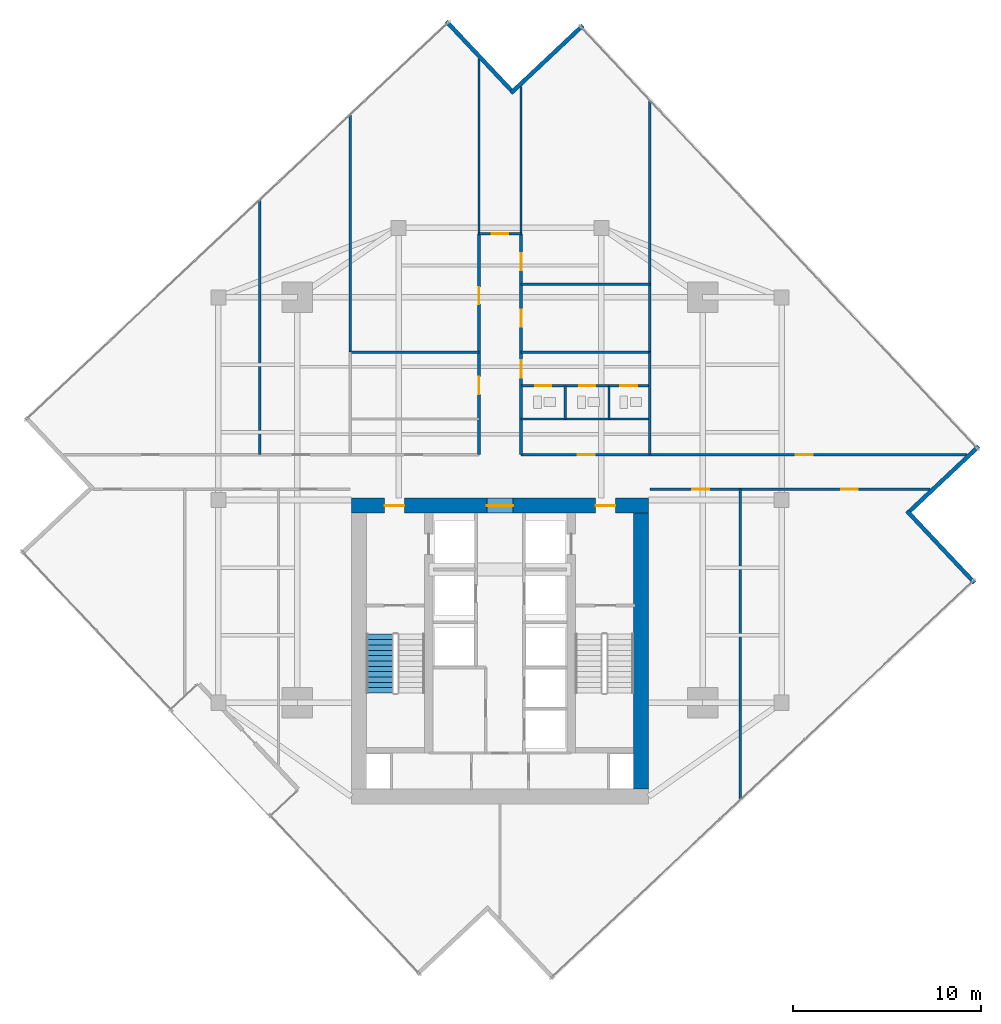
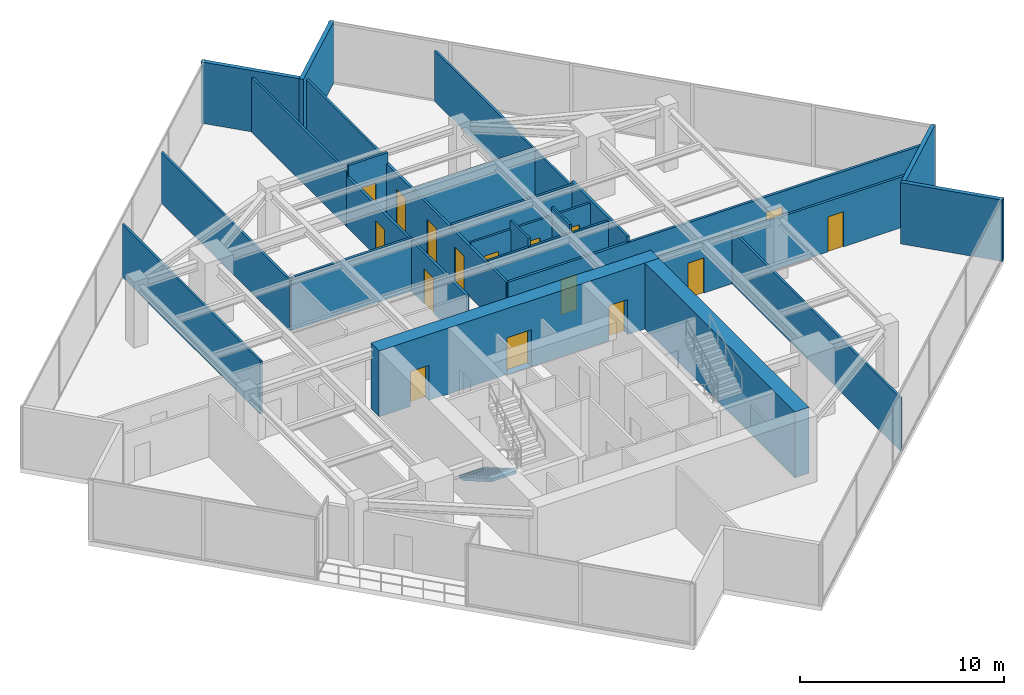
# One storey, part 22 of 25: 25 walls, 16 doors, 1 stair flight, 16 openings, 1 element without a shape of its own.
"""IFC4 building model written with IfcOpenShell, lengths in metres."""

from ifc_helpers import new_model, si_unit, direction, frame, frame_2d, origin, place, context, subcontext, project, spatial, polyline, rectangle, outline, extrude, material, layer, layer_set, type_object, element, fill, aggregate, save


model = new_model("IFC4")

# Units and contexts
model_context = context("Model", 3, precision=1e-05, world=origin(), true_north=direction((0.0, 1.0)))
body_context = subcontext(model_context, "Body", "Model", "MODEL_VIEW")
ifc_project = project(units=[si_unit("LENGTHUNIT", "METRE"), si_unit("AREAUNIT", "SQUARE_METRE"), si_unit("VOLUMEUNIT", "CUBIC_METRE"), si_unit("PLANEANGLEUNIT", "RADIAN"), si_unit("MASSUNIT", "GRAM", prefix="KILO")], contexts=[model_context])

# Site, building, storey
site_placement = place(None, origin())
site = spatial("IfcSite", under=ifc_project, at=site_placement, CompositionType="ELEMENT")
building_placement = place(site_placement, origin())
building = spatial("IfcBuilding", under=site, at=building_placement, Name="Krantzveldt Concourse Tower", CompositionType="ELEMENT")
storey_placement = place(building_placement, frame((0.0, 0.0, 238.89990234375)))
storey = spatial("IfcBuildingStorey", under=building, at=storey_placement, Name="L58", CompositionType="ELEMENT", Elevation=238.89990234375)

# Walls
ifc_material_1 = material(Name="Anodised aluminium 6063-T6", Category="aluminium")
ifc_layer_1 = layer(ifc_material_1, 0.219970703125, Name="Anodised aluminium 6063-T6", Category="aluminium")
ifc_layer_set_1 = layer_set([ifc_layer_1], Name="Anodised aluminium 6063-T6 (WL-EXT-NOTCH220)")
wall_type_1 = type_object("IfcWallType", Name="WL-EXT-NOTCH220", PredefinedType="ELEMENTEDWALL", material=ifc_layer_set_1)
wall_1_placement = place(storey_placement, frame((36.58935546875, 48.53466796875, 0.0), z_axis=(0.0, 0.0, 1.0), x_axis=(-0.685181305796, 0.728372554527, 0.0)))
element("IfcWall", 1, at=wall_1_placement, inside=storey, type_object=wall_type_1, Name="EW-L58-NCH00", PredefinedType="ELEMENTEDWALL", context=body_context, shape_type="SweptSolid", body=[
    extrude(rectangle(XDim=5.025146484375, YDim=0.219970703125, at=frame_2d((2.5126953125, 0.0))), origin(), (0.0, 0.0, 1.0), 3.670166015625),
])
wall_2_placement = place(storey_placement, frame((61.27294921875, 22.295166015625, 0.0), z_axis=(0.0, 0.0, 1.0), x_axis=(-0.685178828418, 0.728374884992, 0.0)))
element("IfcWall", 2, at=wall_2_placement, inside=storey, type_object=wall_type_1, Name="EW-L58-NCH12", PredefinedType="ELEMENTEDWALL", context=body_context, shape_type="SweptSolid", body=[
    extrude(rectangle(XDim=5.244873046875, YDim=0.219970703125, at=frame_2d((2.62255859375, 0.0))), origin(), (0.0, 0.0, 1.0), 3.670166015625),
])
wall_3_placement = place(storey_placement, frame((57.834716796875, 26.110595703125, 0.0), z_axis=(0.0, 0.0, 1.0), x_axis=(0.728372554527, 0.685181305796, 0.0)))
element("IfcWall", 3, at=wall_3_placement, inside=storey, type_object=wall_type_1, Name="EW-L58-NCH13", PredefinedType="ELEMENTEDWALL", context=body_context, shape_type="SweptSolid", body=[
    extrude(rectangle(XDim=5.025146484375, YDim=0.219970703125, at=frame_2d((2.5126953125, 0.0))), origin(), (0.0, 0.0, 1.0), 3.670166015625),
])
wall_4_placement = place(storey_placement, frame((40.40478515625, 51.972900390625, 0.0), z_axis=(0.0, 0.0, 1.0), x_axis=(-0.728374884992, -0.685178828418, 0.0)))
element("IfcWall", 4, at=wall_4_placement, inside=storey, type_object=wall_type_1, Name="EW-L58-NCH15", PredefinedType="ELEMENTEDWALL", context=body_context, shape_type="SweptSolid", body=[
    extrude(rectangle(XDim=5.244873046875, YDim=0.219970703125, at=frame_2d((2.62255859375, 0.0))), origin(), (0.0, 0.0, 1.0), 3.670166015625),
])
ifc_material_2 = material(Name="Fire-rated gypsum plasterboard on steel stud", Category="steel")
ifc_layer_2 = layer(ifc_material_2, 0.1201171875, Name="Fire-rated gypsum plasterboard on steel stud", Category="steel")
ifc_layer_set_2 = layer_set([ifc_layer_2], Name="Fire-rated gypsum plasterboard on steel stud (WL-PART-120)")
wall_type_2 = type_object("IfcWallType", Name="WL-PART-120", PredefinedType="PARTITIONING", material=ifc_layer_set_2)
wall_5_placement = place(storey_placement, frame((37.1201171875, 31.02001953125, 0.0), z_axis=(0.0, 0.0, 1.0), x_axis=(1.0, 0.0, 0.0)))
element("IfcWall", 5, at=wall_5_placement, inside=storey, type_object=wall_type_2, Name="WP-L58-ISMR", PredefinedType="PARTITIONING", context=body_context, shape_type="SweptSolid", body=[
    extrude(rectangle(XDim=6.85986328125, YDim=0.1201171875, at=frame_2d((3.429931640625, 0.0))), origin(), (0.0, 0.0, 1.0), 3.18017578125),
])

# Wall, openings, doors
wall_6_placement = place(storey_placement, frame((37.14990234375, 32.780029296875, 0.0), z_axis=(0.0, 0.0, 1.0), x_axis=(1.0, 0.0, 0.0)))
wall_6 = element("IfcWall", 6, at=wall_6_placement, inside=storey, type_object=wall_type_2, Name="WP-L58-WCHDR", PredefinedType="PARTITIONING", context=body_context, shape_type="SweptSolid", body=[
    extrude(rectangle(XDim=6.800048828125, YDim=0.1201171875, at=frame_2d((3.39990234375, 0.0))), origin(), (0.0, 0.0, 1.0), 3.18017578125),
])
opening_1_placement = place(wall_6_placement, frame((0.72509765625, 0.0, 0.0)))
opening_1 = element("IfcOpeningElement", 7, at=opening_1_placement, cuts=wall_6, Name="Opening D-IN085", PredefinedType="OPENING", context=body_context, shape_type="SweptSolid", body=[
    extrude(rectangle(XDim=0.85009765625, YDim=2.10009765625, at=frame_2d((0.425048828125, 1.050048828125))), frame((0.0, 0.070068359375, 0.0), z_axis=(0.0, -1.0, 0.0), x_axis=(1.0, 0.0, 0.0)), (0.0, 0.0, 1.0), 0.14013671875),
])
opening_2_placement = place(wall_6_placement, frame((3.06494140625, 0.0, 0.0)))
opening_2 = element("IfcOpeningElement", 8, at=opening_2_placement, cuts=wall_6, Name="Opening D-IN085", PredefinedType="OPENING", context=body_context, shape_type="SweptSolid", body=[
    extrude(rectangle(XDim=0.85009765625, YDim=2.10009765625, at=frame_2d((0.425048828125, 1.050048828125))), frame((0.0, 0.070068359375, 0.0), z_axis=(0.0, -1.0, 0.0), x_axis=(1.0, 0.0, 0.0)), (0.0, 0.0, 1.0), 0.14013671875),
])
opening_3_placement = place(wall_6_placement, frame((5.25, 0.0, 0.0)))
opening_3 = element("IfcOpeningElement", 9, at=opening_3_placement, cuts=wall_6, Name="Opening D-IN090", PredefinedType="OPENING", context=body_context, shape_type="SweptSolid", body=[
    extrude(rectangle(XDim=0.89990234375, YDim=2.10009765625, at=frame_2d((0.449951171875, 1.050048828125))), frame((0.0, 0.070068359375, 0.0), z_axis=(0.0, -1.0, 0.0), x_axis=(1.0, 0.0, 0.0)), (0.0, 0.0, 1.0), 0.14013671875),
])
ifc_material_3 = material(Name="Hardwood timber", Category="wood")
door_type_1 = type_object("IfcDoorType", Name="DR-INT-850", OperationType="SINGLE_SWING_LEFT", PredefinedType="DOOR", material=ifc_material_3)
door_1_placement = place(opening_1_placement, origin())
door_1 = element("IfcDoor", 10, at=door_1_placement, inside=storey, type_object=door_type_1, Name="DR-L58-WCM", OperationType="SINGLE_SWING_LEFT", OverallHeight=2.10009765625, OverallWidth=0.85009765625, PredefinedType="DOOR", context=body_context, shape_type="SweptSolid", body=[
    extrude(rectangle(XDim=0.85009765625, YDim=2.10009765625, at=frame_2d((0.425048828125, 1.050048828125))), frame((0.0, 0.02490234375, 0.0), z_axis=(0.0, -1.0, 0.0), x_axis=(1.0, 0.0, 0.0)), (0.0, 0.0, 1.0), 0.050048828125),
])
fill(opening_1, door_1)
door_2_placement = place(opening_2_placement, origin())
door_2 = element("IfcDoor", 11, at=door_2_placement, inside=storey, type_object=door_type_1, Name="DR-L58-WCF", OperationType="SINGLE_SWING_RIGHT", OverallHeight=2.10009765625, OverallWidth=0.85009765625, PredefinedType="DOOR", context=body_context, shape_type="SweptSolid", body=[
    extrude(rectangle(XDim=0.85009765625, YDim=2.10009765625, at=frame_2d((0.425048828125, 1.050048828125))), frame((0.0, 0.02490234375, 0.0), z_axis=(0.0, -1.0, 0.0), x_axis=(1.0, 0.0, 0.0)), (0.0, 0.0, 1.0), 0.050048828125),
])
fill(opening_2, door_2)
door_type_2 = type_object("IfcDoorType", Name="DR-INT-900", OperationType="SINGLE_SWING_LEFT", PredefinedType="DOOR", material=ifc_material_3)
door_3_placement = place(opening_3_placement, origin())
door_3 = element("IfcDoor", 12, at=door_3_placement, inside=storey, type_object=door_type_2, Name="DR-L58-WCA", OperationType="SINGLE_SWING_LEFT", OverallHeight=2.10009765625, OverallWidth=0.89990234375, PredefinedType="DOOR", context=body_context, shape_type="SweptSolid", body=[
    extrude(rectangle(XDim=0.89990234375, YDim=2.10009765625, at=frame_2d((0.449951171875, 1.050048828125))), frame((0.0, 0.02490234375, 0.0), z_axis=(0.0, -1.0, 0.0), x_axis=(1.0, 0.0, 0.0)), (0.0, 0.0, 1.0), 0.050048828125),
])
fill(opening_3, door_3)

# Walls
for number, where, z_axis, x_axis, name in (
    (13, (39.469970703125, 31.02001953125, 0.0), (0.0, 0.0, 1.0), (0.0, 1.0, 0.0), "WP-L58-WCD1"),
    (14, (41.81005859375, 31.02001953125, 0.0), (0.0, 0.0, 1.0), (0.0, 1.0, 0.0), "WP-L58-WCD2"),
):
    element("IfcWall", number, at=place(storey_placement, frame(where, z_axis=z_axis, x_axis=x_axis)), inside=storey, type_object=wall_type_2, Name=name, PredefinedType="PARTITIONING", context=body_context, shape_type="SweptSolid", body=[
        extrude(rectangle(XDim=1.760009765625, YDim=0.1201171875, at=frame_2d((0.8798828125, 0.0))), origin(), (0.0, 0.0, 1.0), 3.670166015625),
    ])
wall_7_placement = place(storey_placement, frame((34.8798828125, 40.8798828125, 0.0), z_axis=(0.0, 0.0, 1.0), x_axis=(0.0, 1.0, 0.0)))
element("IfcWall", 15, at=wall_7_placement, inside=storey, type_object=wall_type_2, Name="WP-L58-NTL", PredefinedType="PARTITIONING", context=body_context, shape_type="SweptSolid", body=[
    extrude(rectangle(XDim=9.303955078125, YDim=0.1201171875, at=frame_2d((4.65185546875, 0.0))), origin(), (0.0, 0.0, 1.0), 3.280029296875),
])
wall_8_placement = place(storey_placement, frame((37.1201171875, 40.8798828125, 0.0), z_axis=(0.0, 0.0, 1.0), x_axis=(0.0, 1.0, 0.0)))
element("IfcWall", 16, at=wall_8_placement, inside=storey, type_object=wall_type_2, Name="WP-L58-NTR", PredefinedType="PARTITIONING", context=body_context, shape_type="SweptSolid", body=[
    extrude(rectangle(XDim=7.84521484375, YDim=0.1201171875, at=frame_2d((3.922607421875, 0.0))), origin(), (0.0, 0.0, 1.0), 3.280029296875),
])
wall_9_placement = place(storey_placement, frame((23.199951171875, 29.1201171875, 0.0), z_axis=(0.0, 0.0, 1.0), x_axis=(0.0, 1.0, 0.0)))
element("IfcWall", 17, at=wall_9_placement, inside=storey, type_object=wall_type_2, Name="WP-L58-NWX1", PredefinedType="PARTITIONING", context=body_context, shape_type="SweptSolid", body=[
    extrude(rectangle(XDim=13.560302734375, YDim=0.1201171875, at=frame_2d((6.7802734375, 0.0))), origin(), (0.0, 0.0, 1.0), 3.18017578125),
])
wall_10_placement = place(storey_placement, frame((28.02001953125, 34.580078125, 0.0), z_axis=(0.0, 0.0, 1.0), x_axis=(0.0, 1.0, 0.0)))
element("IfcWall", 18, at=wall_10_placement, inside=storey, type_object=wall_type_2, Name="WP-L58-ISWL2", PredefinedType="PARTITIONING", context=body_context, shape_type="SweptSolid", body=[
    extrude(rectangle(XDim=12.634521484375, YDim=0.1201171875, at=frame_2d((6.3173828125, 0.0))), origin(), (0.0, 0.0, 1.0), 3.030029296875),
])
wall_11_placement = place(storey_placement, frame((43.97998046875, 34.580078125, 0.0), z_axis=(0.0, 0.0, 1.0), x_axis=(0.0, 1.0, 0.0)))
element("IfcWall", 19, at=wall_11_placement, inside=storey, type_object=wall_type_2, Name="WP-L58-ISER2", PredefinedType="PARTITIONING", context=body_context, shape_type="SweptSolid", body=[
    extrude(rectangle(XDim=13.424560546875, YDim=0.1201171875, at=frame_2d((6.71240234375, 0.0))), origin(), (0.0, 0.0, 1.0), 3.030029296875),
])
wall_12_placement = place(storey_placement, frame((37.1201171875, 38.199951171875, 0.0), z_axis=(0.0, 0.0, 1.0), x_axis=(1.0, 0.0, 0.0)))
element("IfcWall", 20, at=wall_12_placement, inside=storey, type_object=wall_type_2, Name="WP-L58-NEIY", PredefinedType="PARTITIONING", context=body_context, shape_type="SweptSolid", body=[
    extrude(rectangle(XDim=6.85986328125, YDim=0.1201171875, at=frame_2d((3.429931640625, 0.0))), origin(), (0.0, 0.0, 1.0), 3.18017578125),
])
wall_13_placement = place(storey_placement, frame((48.800048828125, 10.719482421875, 0.0), z_axis=(0.0, 0.0, 1.0), x_axis=(0.0, 1.0, 0.0)))
element("IfcWall", 21, at=wall_13_placement, inside=storey, type_object=wall_type_2, Name="WP-L58-SEX1", PredefinedType="PARTITIONING", context=body_context, shape_type="SweptSolid", body=[
    extrude(rectangle(XDim=16.560546875, YDim=0.1201171875, at=frame_2d((8.2802734375, 0.0))), origin(), (0.0, 0.0, 1.0), 3.18017578125),
])

# Wall, openings, doors
ifc_layer_3 = layer(ifc_material_2, 0.139892578125, Name="Fire-rated gypsum plasterboard on steel stud", Category="steel")
ifc_layer_set_3 = layer_set([ifc_layer_3], Name="Fire-rated gypsum plasterboard on steel stud (WL-PART-140)")
wall_type_3 = type_object("IfcWallType", Name="WL-PART-140", PredefinedType="PARTITIONING", material=ifc_layer_set_3)
wall_14_placement = place(storey_placement, frame((34.8798828125, 29.1201171875, 0.0), z_axis=(0.0, 0.0, 1.0), x_axis=(0.0, 1.0, 0.0)))
wall_14 = element("IfcWall", 22, at=wall_14_placement, inside=storey, type_object=wall_type_3, Name="WP-L58-SPWL", PredefinedType="PARTITIONING", context=body_context, shape_type="SweptSolid", body=[
    extrude(rectangle(XDim=11.759765625, YDim=0.139892578125, at=frame_2d((5.8798828125, 0.0))), origin(), (0.0, 0.0, 1.0), 3.030029296875),
])
opening_4_placement = place(wall_14_placement, frame((3.205078125, 0.0, 0.0)))
opening_4 = element("IfcOpeningElement", 23, at=opening_4_placement, cuts=wall_14, Name="Opening D-IN095", PredefinedType="OPENING", context=body_context, shape_type="SweptSolid", body=[
    extrude(rectangle(XDim=0.949951171875, YDim=2.10009765625, at=frame_2d((0.47509765625, 1.050048828125))), frame((0.0, 0.080078125, 0.0), z_axis=(0.0, -1.0, 0.0), x_axis=(1.0, 0.0, 0.0)), (0.0, 0.0, 1.0), 0.159912109375),
])
opening_5_placement = place(wall_14_placement, frame((8.02001953125, 0.0, 0.0)))
opening_5 = element("IfcOpeningElement", 24, at=opening_5_placement, cuts=wall_14, Name="Opening D-IN090", PredefinedType="OPENING", context=body_context, shape_type="SweptSolid", body=[
    extrude(rectangle(XDim=0.89990234375, YDim=2.10009765625, at=frame_2d((0.449951171875, 1.050048828125))), frame((0.0, 0.080078125, 0.0), z_axis=(0.0, -1.0, 0.0), x_axis=(1.0, 0.0, 0.0)), (0.0, 0.0, 1.0), 0.159912109375),
])
door_4_placement = place(opening_5_placement, origin())
door_4 = element("IfcDoor", 25, at=door_4_placement, inside=storey, type_object=door_type_2, Name="DR-L58-NWI1", OperationType="SINGLE_SWING_LEFT", OverallHeight=2.10009765625, OverallWidth=0.89990234375, PredefinedType="DOOR", context=body_context, shape_type="SweptSolid", body=[
    extrude(rectangle(XDim=0.89990234375, YDim=2.10009765625, at=frame_2d((0.449951171875, 1.050048828125))), frame((0.0, 0.02490234375, 0.0), z_axis=(0.0, -1.0, 0.0), x_axis=(1.0, 0.0, 0.0)), (0.0, 0.0, 1.0), 0.050048828125),
])
fill(opening_5, door_4)
door_type_3 = type_object("IfcDoorType", Name="DR-INT-950", OperationType="SINGLE_SWING_LEFT", PredefinedType="DOOR", material=ifc_material_3)
door_5_placement = place(opening_4_placement, origin())
door_5 = element("IfcDoor", 26, at=door_5_placement, inside=storey, type_object=door_type_3, Name="DR-L58-PNT", OperationType="SINGLE_SWING_RIGHT", OverallHeight=2.10009765625, OverallWidth=0.949951171875, PredefinedType="DOOR", context=body_context, shape_type="SweptSolid", body=[
    extrude(rectangle(XDim=0.949951171875, YDim=2.10009765625, at=frame_2d((0.47509765625, 1.050048828125))), frame((0.0, 0.02490234375, 0.0), z_axis=(0.0, -1.0, 0.0), x_axis=(1.0, 0.0, 0.0)), (0.0, 0.0, 1.0), 0.050048828125),
])
fill(opening_4, door_5)

wall_15_placement = place(storey_placement, frame((37.1201171875, 29.1201171875, 0.0), z_axis=(0.0, 0.0, 1.0), x_axis=(0.0, 1.0, 0.0)))
wall_15 = element("IfcWall", 27, at=wall_15_placement, inside=storey, type_object=wall_type_3, Name="WP-L58-SPER", PredefinedType="PARTITIONING", context=body_context, shape_type="SweptSolid", body=[
    extrude(rectangle(XDim=11.759765625, YDim=0.139892578125, at=frame_2d((5.8798828125, 0.0))), origin(), (0.0, 0.0, 1.0), 3.030029296875),
])
opening_6_placement = place(wall_15_placement, frame((4.0849609375, 0.0, 0.0)))
opening_6 = element("IfcOpeningElement", 28, at=opening_6_placement, cuts=wall_15, Name="Opening D-IN095", PredefinedType="OPENING", context=body_context, shape_type="SweptSolid", body=[
    extrude(rectangle(XDim=0.949951171875, YDim=2.10009765625, at=frame_2d((0.47509765625, 1.050048828125))), frame((0.0, 0.080078125, 0.0), z_axis=(0.0, -1.0, 0.0), x_axis=(1.0, 0.0, 0.0)), (0.0, 0.0, 1.0), 0.159912109375),
])
opening_7_placement = place(wall_15_placement, frame((6.820068359375, 0.0, 0.0)))
opening_7 = element("IfcOpeningElement", 29, at=opening_7_placement, cuts=wall_15, Name="Opening D-IN090", PredefinedType="OPENING", context=body_context, shape_type="SweptSolid", body=[
    extrude(rectangle(XDim=0.89990234375, YDim=2.10009765625, at=frame_2d((0.449951171875, 1.050048828125))), frame((0.0, 0.080078125, 0.0), z_axis=(0.0, -1.0, 0.0), x_axis=(1.0, 0.0, 0.0)), (0.0, 0.0, 1.0), 0.159912109375),
])
opening_8_placement = place(wall_15_placement, frame((9.830078125, 0.0, 0.0)))
opening_8 = element("IfcOpeningElement", 30, at=opening_8_placement, cuts=wall_15, Name="Opening D-IN090", PredefinedType="OPENING", context=body_context, shape_type="SweptSolid", body=[
    extrude(rectangle(XDim=0.89990234375, YDim=2.10009765625, at=frame_2d((0.449951171875, 1.050048828125))), frame((0.0, 0.080078125, 0.0), z_axis=(0.0, -1.0, 0.0), x_axis=(1.0, 0.0, 0.0)), (0.0, 0.0, 1.0), 0.159912109375),
])
door_6_placement = place(opening_7_placement, origin())
door_6 = element("IfcDoor", 31, at=door_6_placement, inside=storey, type_object=door_type_2, Name="DR-L58-NEI1", OperationType="SINGLE_SWING_LEFT", OverallHeight=2.10009765625, OverallWidth=0.89990234375, PredefinedType="DOOR", context=body_context, shape_type="SweptSolid", body=[
    extrude(rectangle(XDim=0.89990234375, YDim=2.10009765625, at=frame_2d((0.449951171875, 1.050048828125))), frame((0.0, 0.02490234375, 0.0), z_axis=(0.0, -1.0, 0.0), x_axis=(1.0, 0.0, 0.0)), (0.0, 0.0, 1.0), 0.050048828125),
])
fill(opening_7, door_6)
door_7_placement = place(opening_8_placement, origin())
door_7 = element("IfcDoor", 32, at=door_7_placement, inside=storey, type_object=door_type_2, Name="DR-L58-NEI2", OperationType="SINGLE_SWING_LEFT", OverallHeight=2.10009765625, OverallWidth=0.89990234375, PredefinedType="DOOR", context=body_context, shape_type="SweptSolid", body=[
    extrude(rectangle(XDim=0.89990234375, YDim=2.10009765625, at=frame_2d((0.449951171875, 1.050048828125))), frame((0.0, 0.02490234375, 0.0), z_axis=(0.0, -1.0, 0.0), x_axis=(1.0, 0.0, 0.0)), (0.0, 0.0, 1.0), 0.050048828125),
])
fill(opening_8, door_7)
door_8_placement = place(opening_6_placement, origin())
door_8 = element("IfcDoor", 33, at=door_8_placement, inside=storey, type_object=door_type_3, Name="DR-L58-WCLB", OperationType="SINGLE_SWING_LEFT", OverallHeight=2.10009765625, OverallWidth=0.949951171875, PredefinedType="DOOR", context=body_context, shape_type="SweptSolid", body=[
    extrude(rectangle(XDim=0.949951171875, YDim=2.10009765625, at=frame_2d((0.47509765625, 1.050048828125))), frame((0.0, 0.02490234375, 0.0), z_axis=(0.0, -1.0, 0.0), x_axis=(1.0, 0.0, 0.0)), (0.0, 0.0, 1.0), 0.050048828125),
])
fill(opening_6, door_8)

# Wall, opening, door
wall_16_placement = place(storey_placement, frame((34.8798828125, 40.8798828125, 0.0), z_axis=(0.0, 0.0, 1.0), x_axis=(1.0, 0.0, 0.0)))
wall_16 = element("IfcWall", 34, at=wall_16_placement, inside=storey, type_object=wall_type_3, Name="WP-L58-SPTOP", PredefinedType="PARTITIONING", context=body_context, shape_type="SweptSolid", body=[
    extrude(rectangle(XDim=2.240234375, YDim=0.139892578125, at=frame_2d((1.1201171875, 0.0))), origin(), (0.0, 0.0, 1.0), 3.670166015625),
])
opening_9_placement = place(wall_16_placement, frame((0.669921875, 0.0, 0.0)))
opening_9 = element("IfcOpeningElement", 35, at=opening_9_placement, cuts=wall_16, Name="Opening D-IN090", PredefinedType="OPENING", context=body_context, shape_type="SweptSolid", body=[
    extrude(rectangle(XDim=0.89990234375, YDim=2.10009765625, at=frame_2d((0.449951171875, 1.050048828125))), frame((0.0, 0.080078125, 0.0), z_axis=(0.0, -1.0, 0.0), x_axis=(1.0, 0.0, 0.0)), (0.0, 0.0, 1.0), 0.159912109375),
])
door_9_placement = place(opening_9_placement, origin())
door_9 = element("IfcDoor", 36, at=door_9_placement, inside=storey, type_object=door_type_2, Name="DR-L58-NTOP", OperationType="SINGLE_SWING_LEFT", OverallHeight=2.10009765625, OverallWidth=0.89990234375, PredefinedType="DOOR", context=body_context, shape_type="SweptSolid", body=[
    extrude(rectangle(XDim=0.89990234375, YDim=2.10009765625, at=frame_2d((0.449951171875, 1.050048828125))), frame((0.0, 0.02490234375, 0.0), z_axis=(0.0, -1.0, 0.0), x_axis=(1.0, 0.0, 0.0)), (0.0, 0.0, 1.0), 0.050048828125),
])
fill(opening_9, door_9)

# Wall, openings, doors
wall_17_placement = place(storey_placement, frame((37.1201171875, 29.1201171875, 0.0), z_axis=(0.0, 0.0, 1.0), x_axis=(1.0, 0.0, 0.0)))
wall_17 = element("IfcWall", 37, at=wall_17_placement, inside=storey, type_object=wall_type_3, Name="WP-L58-EWNR", PredefinedType="PARTITIONING", context=body_context, shape_type="SweptSolid", body=[
    extrude(rectangle(XDim=23.745849609375, YDim=0.139892578125, at=frame_2d((11.873046875, 0.0))), origin(), (0.0, 0.0, 1.0), 3.030029296875),
])
opening_10_placement = place(wall_17_placement, frame((3.030029296875, 0.0, 0.0)))
opening_10 = element("IfcOpeningElement", 38, at=opening_10_placement, cuts=wall_17, Name="Opening D-IN090", PredefinedType="OPENING", context=body_context, shape_type="SweptSolid", body=[
    extrude(rectangle(XDim=0.89990234375, YDim=2.10009765625, at=frame_2d((0.449951171875, 1.050048828125))), frame((0.0, 0.080078125, 0.0), z_axis=(0.0, -1.0, 0.0), x_axis=(1.0, 0.0, 0.0)), (0.0, 0.0, 1.0), 0.159912109375),
])
opening_11_placement = place(wall_17_placement, frame((14.639892578125, 0.0, 0.0)))
opening_11 = element("IfcOpeningElement", 39, at=opening_11_placement, cuts=wall_17, Name="Opening D-IN090", PredefinedType="OPENING", context=body_context, shape_type="SweptSolid", body=[
    extrude(rectangle(XDim=0.89990234375, YDim=2.10009765625, at=frame_2d((0.449951171875, 1.050048828125))), frame((0.0, 0.080078125, 0.0), z_axis=(0.0, -1.0, 0.0), x_axis=(1.0, 0.0, 0.0)), (0.0, 0.0, 1.0), 0.159912109375),
])
door_10_placement = place(opening_10_placement, origin())
door_10 = element("IfcDoor", 40, at=door_10_placement, inside=storey, type_object=door_type_2, Name="DR-L58-ALCR", OperationType="SINGLE_SWING_RIGHT", OverallHeight=2.10009765625, OverallWidth=0.89990234375, PredefinedType="DOOR", context=body_context, shape_type="SweptSolid", body=[
    extrude(rectangle(XDim=0.89990234375, YDim=2.10009765625, at=frame_2d((0.449951171875, 1.050048828125))), frame((0.0, 0.02490234375, 0.0), z_axis=(0.0, -1.0, 0.0), x_axis=(1.0, 0.0, 0.0)), (0.0, 0.0, 1.0), 0.050048828125),
])
fill(opening_10, door_10)
door_11_placement = place(opening_11_placement, origin())
door_11 = element("IfcDoor", 41, at=door_11_placement, inside=storey, type_object=door_type_2, Name="DR-L58-NEX1", OperationType="SINGLE_SWING_RIGHT", OverallHeight=2.10009765625, OverallWidth=0.89990234375, PredefinedType="DOOR", context=body_context, shape_type="SweptSolid", body=[
    extrude(rectangle(XDim=0.89990234375, YDim=2.10009765625, at=frame_2d((0.449951171875, 1.050048828125))), frame((0.0, 0.02490234375, 0.0), z_axis=(0.0, -1.0, 0.0), x_axis=(1.0, 0.0, 0.0)), (0.0, 0.0, 1.0), 0.050048828125),
])
fill(opening_11, door_11)

wall_18_placement = place(storey_placement, frame((44.0, 27.280029296875, 0.0), z_axis=(0.0, 0.0, 1.0), x_axis=(1.0, 0.0, 0.0)))
wall_18 = element("IfcWall", 42, at=wall_18_placement, inside=storey, type_object=wall_type_3, Name="WP-L58-EWSR", PredefinedType="PARTITIONING", context=body_context, shape_type="SweptSolid", body=[
    extrude(rectangle(XDim=14.909912109375, YDim=0.139892578125, at=frame_2d((7.455078125, 0.0))), origin(), (0.0, 0.0, 1.0), 3.030029296875),
])
opening_12_placement = place(wall_18_placement, frame((2.25, 0.0, 0.0)))
opening_12 = element("IfcOpeningElement", 43, at=opening_12_placement, cuts=wall_18, Name="Opening D-IN090", PredefinedType="OPENING", context=body_context, shape_type="SweptSolid", body=[
    extrude(rectangle(XDim=0.89990234375, YDim=2.10009765625, at=frame_2d((0.449951171875, 1.050048828125))), frame((0.0, 0.080078125, 0.0), z_axis=(0.0, -1.0, 0.0), x_axis=(1.0, 0.0, 0.0)), (0.0, 0.0, 1.0), 0.159912109375),
])
opening_13_placement = place(wall_18_placement, frame((10.169921875, 0.0, 0.0)))
opening_13 = element("IfcOpeningElement", 44, at=opening_13_placement, cuts=wall_18, Name="Opening D-IN090", PredefinedType="OPENING", context=body_context, shape_type="SweptSolid", body=[
    extrude(rectangle(XDim=0.89990234375, YDim=2.10009765625, at=frame_2d((0.449951171875, 1.050048828125))), frame((0.0, 0.080078125, 0.0), z_axis=(0.0, -1.0, 0.0), x_axis=(1.0, 0.0, 0.0)), (0.0, 0.0, 1.0), 0.159912109375),
])
door_12_placement = place(opening_12_placement, origin())
door_12 = element("IfcDoor", 45, at=door_12_placement, inside=storey, type_object=door_type_2, Name="DR-L58-SEX1", OperationType="SINGLE_SWING_RIGHT", OverallHeight=2.10009765625, OverallWidth=0.89990234375, PredefinedType="DOOR", context=body_context, shape_type="SweptSolid", body=[
    extrude(rectangle(XDim=0.89990234375, YDim=2.10009765625, at=frame_2d((0.449951171875, 1.050048828125))), frame((0.0, 0.02490234375, 0.0), z_axis=(0.0, -1.0, 0.0), x_axis=(1.0, 0.0, 0.0)), (0.0, 0.0, 1.0), 0.050048828125),
])
fill(opening_12, door_12)
door_13_placement = place(opening_13_placement, origin())
door_13 = element("IfcDoor", 46, at=door_13_placement, inside=storey, type_object=door_type_2, Name="DR-L58-SEX2", OperationType="SINGLE_SWING_RIGHT", OverallHeight=2.10009765625, OverallWidth=0.89990234375, PredefinedType="DOOR", context=body_context, shape_type="SweptSolid", body=[
    extrude(rectangle(XDim=0.89990234375, YDim=2.10009765625, at=frame_2d((0.449951171875, 1.050048828125))), frame((0.0, 0.02490234375, 0.0), z_axis=(0.0, -1.0, 0.0), x_axis=(1.0, 0.0, 0.0)), (0.0, 0.0, 1.0), 0.050048828125),
])
fill(opening_13, door_13)

# Walls
for number, where, z_axis, x_axis, name in (
    (47, (28.02001953125, 34.580078125, 0.0), (0.0, 0.0, 1.0), (1.0, 0.0, 0.0), "WP-L58-ISNL"),
    (48, (37.1201171875, 34.580078125, 0.0), (0.0, 0.0, 1.0), (1.0, 0.0, 0.0), "WP-L58-ISNR"),
):
    element("IfcWall", number, at=place(storey_placement, frame(where, z_axis=z_axis, x_axis=x_axis)), inside=storey, type_object=wall_type_3, Name=name, PredefinedType="PARTITIONING", context=body_context, shape_type="SweptSolid", body=[
        extrude(rectangle(XDim=6.85986328125, YDim=0.139892578125, at=frame_2d((3.429931640625, 0.0))), origin(), (0.0, 0.0, 1.0), 3.18017578125),
    ])
wall_19_placement = place(storey_placement, frame((43.97998046875, 29.1201171875, 0.0), z_axis=(0.0, 0.0, 1.0), x_axis=(0.0, 1.0, 0.0)))
element("IfcWall", 49, at=wall_19_placement, inside=storey, type_object=wall_type_3, Name="WP-L58-ISER", PredefinedType="PARTITIONING", context=body_context, shape_type="SweptSolid", body=[
    extrude(rectangle(XDim=5.4599609375, YDim=0.139892578125, at=frame_2d((2.72998046875, 0.0))), origin(), (0.0, 0.0, 1.0), 3.3701171875),
])

# Wall, openings, doors
ifc_material_4 = material(Name="Concrete C60/75", Category="concrete")
ifc_layer_4 = layer(ifc_material_4, 0.800048828125, Name="Concrete C60/75", Category="concrete")
ifc_layer_set_4 = layer_set([ifc_layer_4], Name="Concrete C60/75 (WL-SHEAR-800)")
wall_type_4 = type_object("IfcWallType", Name="WL-SHEAR-800", PredefinedType="SHEAR", material=ifc_layer_set_4)
wall_20_placement = place(storey_placement, frame((28.080078125, 26.39990234375, 0.0), z_axis=(0.0, 0.0, 1.0), x_axis=(1.0, 0.0, 0.0)))
wall_20 = element("IfcWall", 50, at=wall_20_placement, inside=storey, type_object=wall_type_4, Name="CW-L58-N", PredefinedType="SHEAR", context=body_context, shape_type="SweptSolid", body=[
    extrude(rectangle(XDim=15.83984375, YDim=0.800048828125, at=frame_2d((7.919921875, 0.0))), origin(), (0.0, 0.0, 1.0), 3.9501953125),
])
opening_14_placement = place(wall_20_placement, frame((7.219970703125, 0.0, 0.0)))
opening_14 = element("IfcOpeningElement", 51, at=opening_14_placement, cuts=wall_20, Name="Opening D-DB140", PredefinedType="OPENING", context=body_context, shape_type="SweptSolid", body=[
    extrude(rectangle(XDim=1.39990234375, YDim=2.199951171875, at=frame_2d((0.699951171875, 1.10009765625))), frame((0.0, 0.41015625, 0.0), z_axis=(0.0, -1.0, 0.0), x_axis=(1.0, 0.0, 0.0)), (0.0, 0.0, 1.0), 0.820068359375),
])
opening_15_placement = place(wall_20_placement, frame((1.77490234375, 0.0, 0.0)))
opening_15 = element("IfcOpeningElement", 52, at=opening_15_placement, cuts=wall_20, Name="Opening D-FD105", PredefinedType="OPENING", context=body_context, shape_type="SweptSolid", body=[
    extrude(rectangle(XDim=1.050048828125, YDim=2.10009765625, at=frame_2d((0.52490234375, 1.050048828125))), frame((0.0, 0.41015625, 0.0), z_axis=(0.0, -1.0, 0.0), x_axis=(1.0, 0.0, 0.0)), (0.0, 0.0, 1.0), 0.820068359375),
])
opening_16_placement = place(wall_20_placement, frame((13.014892578125, 0.0, 0.0)))
opening_16 = element("IfcOpeningElement", 53, at=opening_16_placement, cuts=wall_20, Name="Opening D-FD105", PredefinedType="OPENING", context=body_context, shape_type="SweptSolid", body=[
    extrude(rectangle(XDim=1.050048828125, YDim=2.10009765625, at=frame_2d((0.52490234375, 1.050048828125))), frame((0.0, 0.41015625, 0.0), z_axis=(0.0, -1.0, 0.0), x_axis=(1.0, 0.0, 0.0)), (0.0, 0.0, 1.0), 0.820068359375),
])
door_type_4 = type_object("IfcDoorType", Name="DR-DBL-1400", OperationType="DOUBLE_DOOR_SINGLE_SWING", PredefinedType="DOOR", material=ifc_material_1)
door_14_placement = place(opening_14_placement, origin())
door_14 = element("IfcDoor", 54, at=door_14_placement, inside=storey, type_object=door_type_4, Name="DR-L58-LLB", OperationType="DOUBLE_DOOR_SINGLE_SWING", OverallHeight=2.199951171875, OverallWidth=1.39990234375, PredefinedType="DOOR", context=body_context, shape_type="SweptSolid", body=[
    extrude(rectangle(XDim=1.39990234375, YDim=2.199951171875, at=frame_2d((0.699951171875, 1.10009765625))), frame((0.0, 0.02490234375, 0.0), z_axis=(0.0, -1.0, 0.0), x_axis=(1.0, 0.0, 0.0)), (0.0, 0.0, 1.0), 0.050048828125),
])
fill(opening_14, door_14)
ifc_material_5 = material(Name="Galvanised steel", Category="steel")
door_type_5 = type_object("IfcDoorType", Name="DR-FD120-1050", OperationType="SINGLE_SWING_LEFT", PredefinedType="DOOR", material=ifc_material_5)
door_15_placement = place(opening_15_placement, origin())
door_15 = element("IfcDoor", 55, at=door_15_placement, inside=storey, type_object=door_type_5, Name="DR-L58-FFL1", OperationType="SINGLE_SWING_LEFT", OverallHeight=2.10009765625, OverallWidth=1.050048828125, PredefinedType="DOOR", context=body_context, shape_type="SweptSolid", body=[
    extrude(rectangle(XDim=1.050048828125, YDim=2.10009765625, at=frame_2d((0.52490234375, 1.050048828125))), frame((0.0, 0.02490234375, 0.0), z_axis=(0.0, -1.0, 0.0), x_axis=(1.0, 0.0, 0.0)), (0.0, 0.0, 1.0), 0.050048828125),
])
fill(opening_15, door_15)
door_16_placement = place(opening_16_placement, origin())
door_16 = element("IfcDoor", 56, at=door_16_placement, inside=storey, type_object=door_type_5, Name="DR-L58-FFL2", OperationType="SINGLE_SWING_RIGHT", OverallHeight=2.10009765625, OverallWidth=1.050048828125, PredefinedType="DOOR", context=body_context, shape_type="SweptSolid", body=[
    extrude(rectangle(XDim=1.050048828125, YDim=2.10009765625, at=frame_2d((0.52490234375, 1.050048828125))), frame((0.0, 0.02490234375, 0.0), z_axis=(0.0, -1.0, 0.0), x_axis=(1.0, 0.0, 0.0)), (0.0, 0.0, 1.0), 0.050048828125),
])
fill(opening_16, door_16)

# Wall
wall_21_placement = place(storey_placement, frame((43.52001953125, 11.300048828125, 0.0), z_axis=(0.0, 0.0, 1.0), x_axis=(0.0, 1.0, 0.0)))
element("IfcWall", 57, at=wall_21_placement, inside=storey, type_object=wall_type_4, Name="CW-L58-E", PredefinedType="SHEAR", context=body_context, shape_type="SweptSolid", body=[
    extrude(rectangle(XDim=14.699951171875, YDim=0.800048828125, at=frame_2d((7.35009765625, 0.0))), origin(), (0.0, 0.0, 1.0), 3.9501953125),
])

# Stair, stair flight
ifc_material_6 = material(Name="Precast concrete C40/50", Category="concrete")
stair_type = type_object("IfcStairType", Name="STR-CORE-DOGLEG", PredefinedType="HALF_TURN_STAIR", material=ifc_material_6)
stair_placement = place(storey_placement, origin())
stair = element("IfcStair", 58, at=stair_placement, inside=storey, type_object=stair_type, Name="L58 Protected Escape Stair ST-1", PredefinedType="HALF_TURN_STAIR")
stair_flight_type = type_object("IfcStairFlightType", Name="STF-CORE-1450", PredefinedType="STRAIGHT", material=ifc_material_6)
stair_flight_placement = place(storey_placement, frame((29.60498046875, 19.550048828125, 0.0), z_axis=(0.0, 0.0, 1.0), x_axis=(0.0, -1.0, 0.0)))
stair_flight = element("IfcStairFlight", 59, at=stair_flight_placement, type_object=stair_flight_type, Name="ST-1 flight 1", NumberOfRisers=12, NumberOfTreads=11, PredefinedType="STRAIGHT", RiserHeight=0.164583333, TreadLength=0.285, context=body_context, shape_type="SweptSolid", body=[
    extrude(outline(polyline([(0.0, 0.0), (0.0, 0.16455078125), (0.284912109375, 0.16455078125), (0.284912109375, 0.3291015625), (0.570068359375, 0.3291015625), (0.570068359375, 0.49365234375), (0.85498046875, 0.49365234375), (0.85498046875, 0.658447265625), (1.139892578125, 0.658447265625), (1.139892578125, 0.822998046875), (1.425048828125, 0.822998046875), (1.425048828125, 0.987548828125), (1.7099609375, 0.987548828125), (1.7099609375, 1.152099609375), (1.9951171875, 1.152099609375), (1.9951171875, 1.316650390625), (2.280029296875, 1.316650390625), (2.280029296875, 1.481201171875), (2.56494140625, 1.481201171875), (2.56494140625, 1.645751953125), (2.85009765625, 1.645751953125), (2.85009765625, 1.810302734375), (3.135009765625, 1.810302734375), (3.135009765625, 1.97509765625), (3.135009765625, 1.63720703125), (0.2998046875, 0.0), (0.0, 0.0)])), frame((0.0, 0.72509765625, 0.0), z_axis=(0.0, -1.0, 0.0), x_axis=(1.0, 0.0, 0.0)), (0.0, 0.0, 1.0), 1.449951171875),
])
aggregate(stair, [stair_flight])

save(model, "model.ifc")
